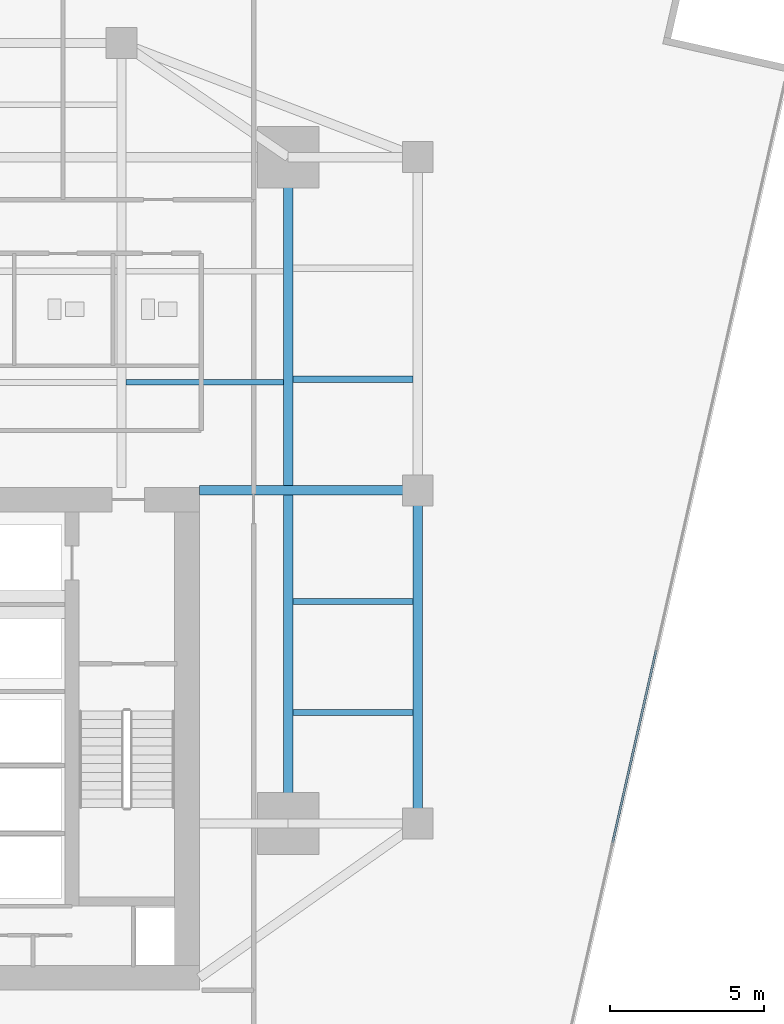
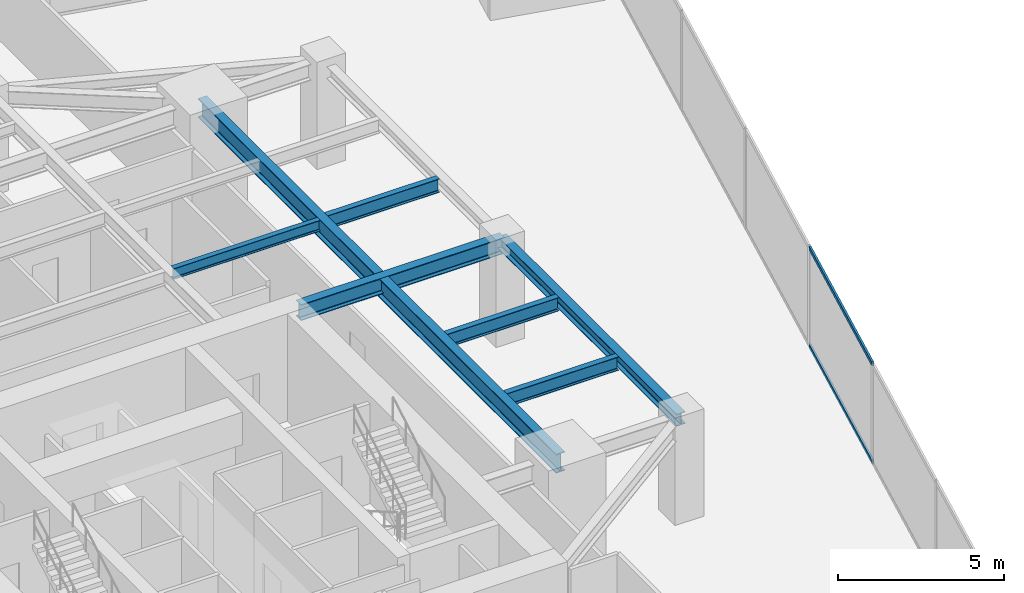
# One storey, part 12 of 26: 7 beams, 2 members, 1 element without a shape of its own.
"""IFC4 building model written with IfcOpenShell, lengths in metres."""

from ifc_helpers import new_model, si_unit, direction, frame, origin, origin_2d, place, context, subcontext, project, spatial, hollow_rectangle, i_section, extrude, source, transform, mapped, material, material_profile, profile_set, type_object, type_shapes, element, aggregate, save


model = new_model("IFC4")

# Units and contexts
model_context = context("Model", 3, precision=1e-05, world=origin(), true_north=direction((0.0, 1.0)))
body_context = subcontext(model_context, "Body", "Model", "MODEL_VIEW")
ifc_project = project(units=[si_unit("LENGTHUNIT", "METRE"), si_unit("AREAUNIT", "SQUARE_METRE"), si_unit("VOLUMEUNIT", "CUBIC_METRE"), si_unit("PLANEANGLEUNIT", "RADIAN"), si_unit("MASSUNIT", "GRAM", prefix="KILO")], contexts=[model_context])

# Site, building, storey
site_placement = place(None, origin())
site = spatial("IfcSite", under=ifc_project, at=site_placement, CompositionType="ELEMENT")
building_placement = place(site_placement, origin())
building = spatial("IfcBuilding", under=site, at=building_placement, Name="Krantzveldt Concourse Tower", CompositionType="ELEMENT")
storey_placement = place(building_placement, frame((0.0, 0.0, 94.0)))
storey = spatial("IfcBuildingStorey", under=building, at=storey_placement, Name="L22", CompositionType="ELEMENT", Elevation=94.0)

# Beams
ifc_material_1 = material(Name="Steel S355J2", Category="steel")
ifc_material_profile_1 = material_profile(ifc_material_1, i_section(OverallWidth=0.300048828125, OverallDepth=0.699951171875, WebThickness=0.01708984375, FlangeThickness=0.031982421875, FilletRadius=0.027099609375, at=origin_2d()), Name="Steel S355J2", Category="steel")
ifc_profile_set_1 = profile_set([ifc_material_profile_1], Name="Steel S355J2 - HEB 700")
beam_type_1 = type_object("IfcBeamType", Name="BM-B-HEB700", PredefinedType="BEAM", material=ifc_profile_set_1)
shared_shape_1 = source(origin(), body_context, "Body", "SweptSolid", [
    extrude(i_section(OverallWidth=0.300048828125, OverallDepth=0.699951171875, WebThickness=0.01708984375, FlangeThickness=0.031982421875, FilletRadius=0.027099609375, at=origin_2d()), origin(), (0.0, 0.0, 1.0), 21.60009765625),
])
type_shapes(beam_type_1, [shared_shape_1])
beam_1_placement = place(storey_placement, frame((46.800048828125, 15.89990234375, 3.320068359375), z_axis=(0.0, 1.0, 0.0), x_axis=(-1.0, 0.0, 0.0)))
element("IfcBeam", 1, at=beam_1_placement, inside=storey, type_object=beam_type_1, Name="L22 Tower Girder BG-ME", PredefinedType="BEAM", context=body_context, shape_type="MappedRepresentation", body=[
    mapped(shared_shape_1, transform((0.0, 0.0, 0.0), x_axis=(1.0, 0.0, 0.0), y_axis=(0.0, 1.0, 0.0), z_axis=(0.0, 0.0, 1.0), scale=1.0)),
])
ifc_material_2 = material(Name="Steel S355JR", Category="steel")
ifc_material_profile_2 = material_profile(ifc_material_2, i_section(OverallWidth=0.300048828125, OverallDepth=0.590087890625, WebThickness=0.012939453125, FlangeThickness=0.02490234375, FilletRadius=0.027099609375, at=origin_2d()), Name="Steel S355JR", Category="steel")
ifc_profile_set_2 = profile_set([ifc_material_profile_2], Name="Steel S355JR - HEA 600")
beam_type_2 = type_object("IfcBeamType", Name="BM-B-HEA600", PredefinedType="BEAM", material=ifc_profile_set_2)
shared_shape_2 = source(origin(), body_context, "Body", "SweptSolid", [
    extrude(i_section(OverallWidth=0.300048828125, OverallDepth=0.590087890625, WebThickness=0.012939453125, FlangeThickness=0.02490234375, FilletRadius=0.027099609375, at=origin_2d()), origin(), (0.0, 0.0, 1.0), 7.080078125),
])
type_shapes(beam_type_2, [shared_shape_2])
beam_2_placement = place(storey_placement, frame((43.919921875, 26.699951171875, 3.375), z_axis=(1.0, 0.0, 0.0), x_axis=(0.0, 1.0, 0.0)))
element("IfcBeam", 2, at=beam_2_placement, inside=storey, type_object=beam_type_2, Name="L22 Tower Girder BG-CE2", PredefinedType="BEAM", context=body_context, shape_type="MappedRepresentation", body=[
    mapped(shared_shape_2, transform((0.0, 0.0, 0.0), x_axis=(1.0, 0.0, 0.0), y_axis=(0.0, 1.0, 0.0), z_axis=(0.0, 0.0, 1.0), scale=1.0)),
])
ifc_material_profile_3 = material_profile(ifc_material_2, i_section(OverallWidth=0.300048828125, OverallDepth=0.43994140625, WebThickness=0.011474609375, FlangeThickness=0.02099609375, FilletRadius=0.027099609375, at=origin_2d()), Name="Steel S355JR", Category="steel")
ifc_profile_set_3 = profile_set([ifc_material_profile_3], Name="Steel S355JR - HEA 450")
beam_type_3 = type_object("IfcBeamType", Name="BM-SP-HEA450", PredefinedType="SPANDREL", material=ifc_profile_set_3)
shared_shape_3 = source(origin(), body_context, "Body", "SweptSolid", [
    extrude(i_section(OverallWidth=0.300048828125, OverallDepth=0.43994140625, WebThickness=0.011474609375, FlangeThickness=0.02099609375, FilletRadius=0.027099609375, at=origin_2d()), origin(), (0.0, 0.0, 1.0), 10.800048828125),
])
type_shapes(beam_type_3, [shared_shape_3])
beam_3_placement = place(storey_placement, frame((51.0, 26.699951171875, 3.449951171875), z_axis=(0.0, -1.0, 0.0), x_axis=(1.0, 0.0, 0.0)))
element("IfcBeam", 3, at=beam_3_placement, inside=storey, type_object=beam_type_3, Name="L22 Tower Girder SP-R07", PredefinedType="SPANDREL", context=body_context, shape_type="MappedRepresentation", body=[
    mapped(shared_shape_3, transform((0.0, 0.0, 0.0), x_axis=(1.0, 0.0, 0.0), y_axis=(0.0, 1.0, 0.0), z_axis=(0.0, 0.0, 1.0), scale=1.0)),
])
ifc_material_profile_4 = material_profile(ifc_material_2, i_section(OverallWidth=0.179931640625, OverallDepth=0.39990234375, WebThickness=0.008544921875, FlangeThickness=0.013427734375, FilletRadius=0.02099609375, at=origin_2d()), Name="Steel S355JR", Category="steel")
ifc_profile_set_4 = profile_set([ifc_material_profile_4], Name="Steel S355JR - IPE 400")
beam_type_4 = type_object("IfcBeamType", Name="BM-J-IPE400", PredefinedType="JOIST", material=ifc_profile_set_4)
shared_shape_4 = source(origin(), body_context, "Body", "SweptSolid", [
    extrude(i_section(OverallWidth=0.179931640625, OverallDepth=0.39990234375, WebThickness=0.008544921875, FlangeThickness=0.013427734375, FilletRadius=0.02099609375, at=origin_2d()), origin(), (0.0, 0.0, 1.0), 5.099853515625),
])
type_shapes(beam_type_4, [shared_shape_4])
beam_4_placement = place(storey_placement, frame((41.550048828125, 30.199951171875, 3.469970703125), z_axis=(1.0, 0.0, 0.0), x_axis=(0.0, 1.0, 0.0)))
element("IfcBeam", 4, at=beam_4_placement, inside=storey, type_object=beam_type_4, Name="L22 Secondary Floor Joist JN-E1", PredefinedType="JOIST", context=body_context, shape_type="MappedRepresentation", body=[
    mapped(shared_shape_4, transform((0.0, 0.0, 0.0), x_axis=(1.0, 0.0, 0.0), y_axis=(0.0, 1.0, 0.0), z_axis=(0.0, 0.0, 1.0), scale=1.0)),
])
ifc_material_profile_5 = material_profile(ifc_material_2, i_section(OverallWidth=0.199951171875, OverallDepth=0.5, WebThickness=0.01025390625, FlangeThickness=0.01611328125, FilletRadius=0.02099609375, at=origin_2d()), Name="Steel S355JR", Category="steel")
ifc_profile_set_5 = profile_set([ifc_material_profile_5], Name="Steel S355JR - IPE 500")
beam_type_5 = type_object("IfcBeamType", Name="BM-J-IPE500", PredefinedType="JOIST", material=ifc_profile_set_5)
shared_shape_5 = source(origin(), body_context, "Body", "SweptSolid", [
    extrude(i_section(OverallWidth=0.199951171875, OverallDepth=0.5, WebThickness=0.01025390625, FlangeThickness=0.01611328125, FilletRadius=0.02099609375, at=origin_2d()), origin(), (0.0, 0.0, 1.0), 3.900146484375),
])
type_shapes(beam_type_5, [shared_shape_5])
for number, where, z_axis, x_axis, name in (
    (5, (46.949951171875, 19.5, 3.419921875), (1.0, 0.0, 0.0), (0.0, 1.0, 0.0), "L22 Secondary Floor Joist JE-1"),
    (6, (46.949951171875, 23.10009765625, 3.419921875), (1.0, 0.0, 0.0), (0.0, 1.0, 0.0), "L22 Secondary Floor Joist JE-2"),
    (7, (46.949951171875, 30.300048828125, 3.419921875), (1.0, 0.0, 0.0), (0.0, 1.0, 0.0), "L22 Secondary Floor Joist JE-3"),
):
    element("IfcBeam", number, at=place(storey_placement, frame(where, z_axis=z_axis, x_axis=x_axis)), inside=storey, type_object=beam_type_5, Name=name, PredefinedType="JOIST", context=body_context, shape_type="MappedRepresentation", body=[
        mapped(shared_shape_5, transform((0.0, 0.0, 0.0), x_axis=(1.0, 0.0, 0.0), y_axis=(0.0, 1.0, 0.0), z_axis=(0.0, 0.0, 1.0), scale=1.0)),
    ])

# Curtain wall, members
ifc_material_3 = material(Name="Anodised aluminium 6063-T6", Category="aluminium")
curtain_wall_type = type_object("IfcCurtainWallType", Name="CW2", PredefinedType="USERDEFINED", material=ifc_material_3)
curtain_wall_placement = place(storey_placement, origin())
curtain_wall = element("IfcCurtainWall", 8, at=curtain_wall_placement, inside=storey, type_object=curtain_wall_type, Name="CW-L22-F07", ObjectType="UNITISED CURTAIN WALL", PredefinedType="USERDEFINED")
ifc_material_profile_6 = material_profile(ifc_material_3, hollow_rectangle(XDim=0.070068359375, YDim=0.139892578125, WallThickness=0.0048828125, at=origin_2d()), Name="Anodised aluminium 6063-T6", Category="aluminium")
ifc_profile_set_6 = profile_set([ifc_material_profile_6], Name="Anodised aluminium 6063-T6 - ALU-TRAN 140x70x5")
member_type = type_object("IfcMemberType", Name="CW-TRN-150", PredefinedType="USERDEFINED", material=ifc_profile_set_6)
shared_shape_6 = source(origin(), body_context, "Body", "SweptSolid", [
    extrude(hollow_rectangle(XDim=0.070068359375, YDim=0.139892578125, WallThickness=0.0048828125, at=origin_2d()), origin(), (0.0, 0.0, 1.0), 6.396728515625),
])
type_shapes(member_type, [shared_shape_6])
member_1_placement = place(storey_placement, frame((57.315673828125, 15.282470703125, 0.034912109375), z_axis=(0.220715365874, 0.975338262998, 0.0), x_axis=(-0.975338262998, 0.220715365874, 0.0)))
member_1 = element("IfcMember", 9, at=member_1_placement, type_object=member_type, Name="CW-Z12 transom 3.1", ObjectType="TRANSOM", PredefinedType="USERDEFINED", context=body_context, shape_type="MappedRepresentation", body=[
    mapped(shared_shape_6, transform((0.0, 0.0, 0.0), x_axis=(1.0, 0.0, 0.0), y_axis=(0.0, 1.0, 0.0), z_axis=(0.0, 0.0, 1.0), scale=1.0)),
])
member_2_placement = place(storey_placement, frame((57.315673828125, 15.282470703125, 3.635009765625), z_axis=(0.220715365874, 0.975338262998, 0.0), x_axis=(-0.975338262998, 0.220715365874, 0.0)))
member_2 = element("IfcMember", 10, at=member_2_placement, type_object=member_type, Name="CW-Z12 transom 3.2", ObjectType="TRANSOM", PredefinedType="USERDEFINED", context=body_context, shape_type="MappedRepresentation", body=[
    mapped(shared_shape_6, transform((0.0, 0.0, 0.0), x_axis=(1.0, 0.0, 0.0), y_axis=(0.0, 1.0, 0.0), z_axis=(0.0, 0.0, 1.0), scale=1.0)),
])
aggregate(curtain_wall, [member_1, member_2])

save(model, "model.ifc")
